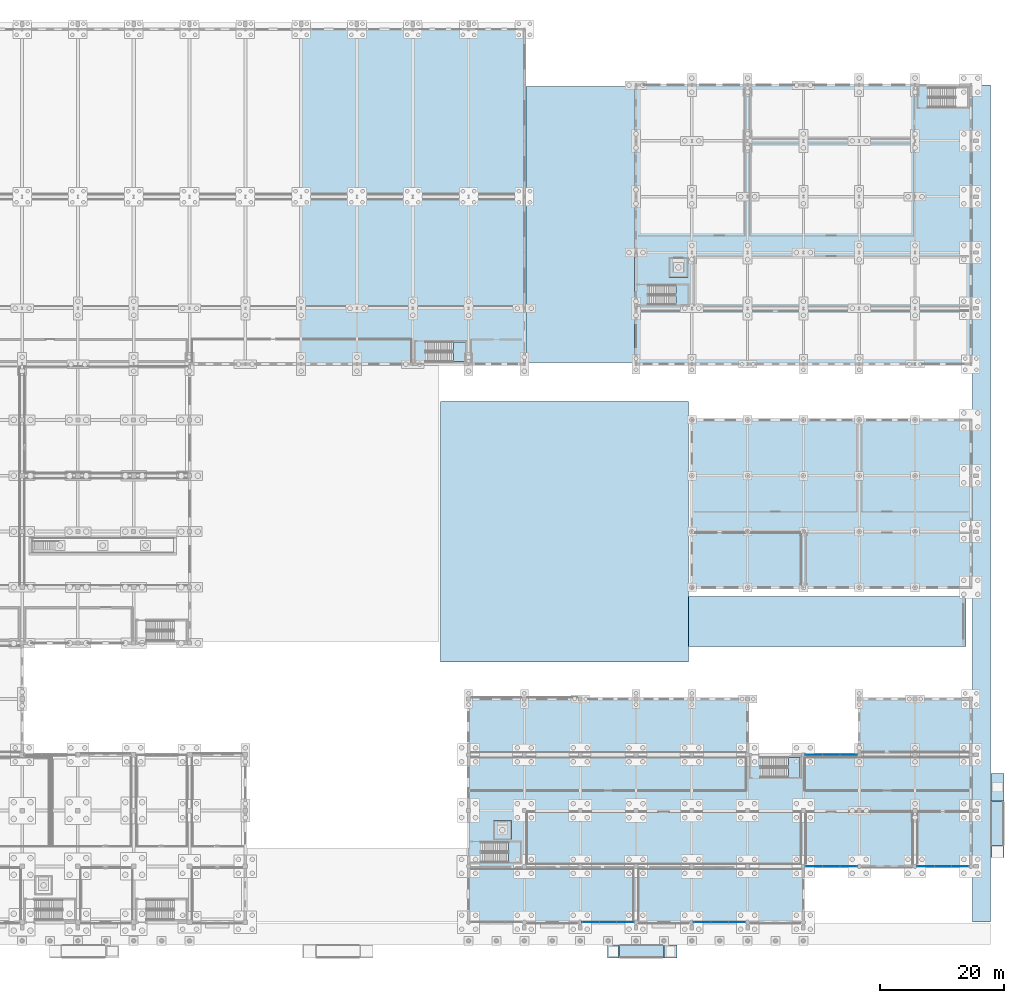
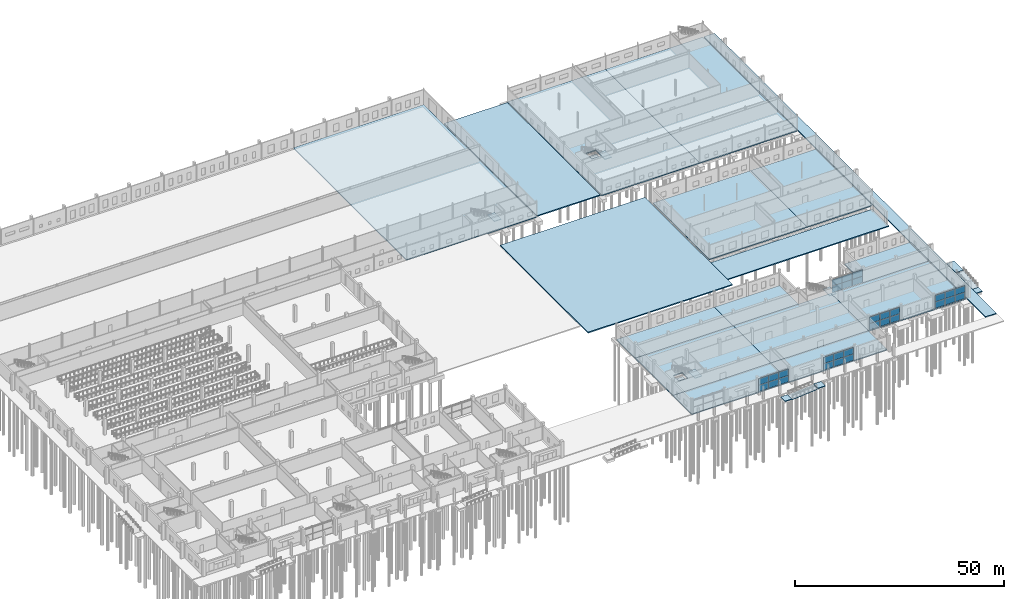
# One storey, part 60 of 112: 30 plates, 29 slabs, 9 elements without a shape of their own.
"""IFC4 building model written with IfcOpenShell, lengths in metres."""

from ifc_helpers import new_model, si_unit, direction, frame, origin, origin_2d, place, context, subcontext, project, spatial, polyline, rectangle, outline, extrude, material, layer, layer_set, type_object, element, aggregate, save


model = new_model("IFC4")

# Units and contexts
model_context = context("Model", 3, precision=1e-05, world=origin(), true_north=direction((0.0, 1.0)))
body_context = subcontext(model_context, "Body", "Model", "MODEL_VIEW")
ifc_project = project(units=[si_unit("LENGTHUNIT", "METRE"), si_unit("AREAUNIT", "SQUARE_METRE"), si_unit("VOLUMEUNIT", "CUBIC_METRE"), si_unit("PLANEANGLEUNIT", "RADIAN"), si_unit("MASSUNIT", "GRAM", prefix="KILO")], contexts=[model_context])

# Site, building, storey
site_placement = place(None, origin())
site = spatial("IfcSite", under=ifc_project, at=site_placement, CompositionType="ELEMENT")
building_placement = place(site_placement, origin())
building = spatial("IfcBuilding", under=site, at=building_placement, Name="Tharagai Park Tramway Depot", CompositionType="ELEMENT")
storey_placement = place(building_placement, origin())
storey = spatial("IfcBuildingStorey", under=building, at=storey_placement, Name="L00", CompositionType="ELEMENT", Elevation=0.0)

# Curtain wall, plates
ifc_material_1 = material(Name="Anodised aluminium", Category="aluminium")
curtain_wall_type = type_object("IfcCurtainWallType", Name="CW-05", PredefinedType="NOTDEFINED", material=ifc_material_1)
curtain_wall_1_placement = place(storey_placement, origin())
curtain_wall_1 = element("IfcCurtainWall", 1, at=curtain_wall_1_placement, inside=storey, type_object=curtain_wall_type, Name="L00 V5 Gothic Mullioned Curtain Wall CW-05", PredefinedType="NOTDEFINED")
ifc_material_2 = material(Name="Laminated solar-control glass", Category="glass")
ifc_layer_1 = layer(ifc_material_2, 0.028076171875)
ifc_layer_set_1 = layer_set([ifc_layer_1], Name="Laminated solar-control glass")
plate_type = type_object("IfcPlateType", Name="CP-02", PredefinedType="CURTAIN_PANEL", material=ifc_layer_set_1)
plate_1_placement = place(storey_placement, frame((154.7265625, 0.0, 0.080078125), z_axis=(0.0, 0.0, 1.0), x_axis=(1.0, 0.0, 0.0)))
plate_1 = element("IfcPlate", 2, at=plate_1_placement, type_object=plate_type, Name="L00 V5 Gothic Mullioned Curtain Wall Glazed Panel 1.1", PredefinedType="CURTAIN_PANEL", context=body_context, shape_type="SweptSolid", body=[
    extrude(rectangle(XDim=2.75341796875, YDim=0.028076171875, at=origin_2d()), origin(), (0.0, 0.0, 1.0), 1.885009765625),
])
plate_2_placement = place(storey_placement, frame((154.7265625, 0.0, 2.0048828125), z_axis=(0.0, 0.0, 1.0), x_axis=(1.0, 0.0, 0.0)))
plate_2 = element("IfcPlate", 3, at=plate_2_placement, type_object=plate_type, Name="L00 V5 Gothic Mullioned Curtain Wall Glazed Panel 1.2", PredefinedType="CURTAIN_PANEL", context=body_context, shape_type="SweptSolid", body=[
    extrude(rectangle(XDim=2.75341796875, YDim=0.028076171875, at=origin_2d()), origin(), (0.0, 0.0, 1.0), 1.864990234375),
])
plate_3_placement = place(storey_placement, frame((157.5, 0.0, 0.080078125), z_axis=(0.0, 0.0, 1.0), x_axis=(1.0, 0.0, 0.0)))
plate_3 = element("IfcPlate", 4, at=plate_3_placement, type_object=plate_type, Name="L00 V5 Gothic Mullioned Curtain Wall Glazed Panel 2.1", PredefinedType="CURTAIN_PANEL", context=body_context, shape_type="SweptSolid", body=[
    extrude(rectangle(XDim=2.75341796875, YDim=0.028076171875, at=origin_2d()), origin(), (0.0, 0.0, 1.0), 1.885009765625),
])
plate_4_placement = place(storey_placement, frame((157.5, 0.0, 2.0048828125), z_axis=(0.0, 0.0, 1.0), x_axis=(1.0, 0.0, 0.0)))
plate_4 = element("IfcPlate", 5, at=plate_4_placement, type_object=plate_type, Name="L00 V5 Gothic Mullioned Curtain Wall Glazed Panel 2.2", PredefinedType="CURTAIN_PANEL", context=body_context, shape_type="SweptSolid", body=[
    extrude(rectangle(XDim=2.75341796875, YDim=0.028076171875, at=origin_2d()), origin(), (0.0, 0.0, 1.0), 1.864990234375),
])
plate_5_placement = place(storey_placement, frame((160.2734375, 0.0, 0.080078125), z_axis=(0.0, 0.0, 1.0), x_axis=(1.0, 0.0, 0.0)))
plate_5 = element("IfcPlate", 6, at=plate_5_placement, type_object=plate_type, Name="L00 V5 Gothic Mullioned Curtain Wall Glazed Panel 3.1", PredefinedType="CURTAIN_PANEL", context=body_context, shape_type="SweptSolid", body=[
    extrude(rectangle(XDim=2.75341796875, YDim=0.028076171875, at=origin_2d()), origin(), (0.0, 0.0, 1.0), 1.885009765625),
])
plate_6_placement = place(storey_placement, frame((160.2734375, 0.0, 2.0048828125), z_axis=(0.0, 0.0, 1.0), x_axis=(1.0, 0.0, 0.0)))
plate_6 = element("IfcPlate", 7, at=plate_6_placement, type_object=plate_type, Name="L00 V5 Gothic Mullioned Curtain Wall Glazed Panel 3.2", PredefinedType="CURTAIN_PANEL", context=body_context, shape_type="SweptSolid", body=[
    extrude(rectangle(XDim=2.75341796875, YDim=0.028076171875, at=origin_2d()), origin(), (0.0, 0.0, 1.0), 1.864990234375),
])
aggregate(curtain_wall_1, [plate_1, plate_2, plate_3, plate_4, plate_5, plate_6])

curtain_wall_2_placement = place(storey_placement, origin())
curtain_wall_2 = element("IfcCurtainWall", 8, at=curtain_wall_2_placement, inside=storey, type_object=curtain_wall_type, Name="L00 V5 Gothic Mullioned Curtain Wall CW-05", PredefinedType="NOTDEFINED")
plate_7_placement = place(storey_placement, frame((172.7265625, 0.0, 0.080078125), z_axis=(0.0, 0.0, 1.0), x_axis=(1.0, 0.0, 0.0)))
plate_7 = element("IfcPlate", 9, at=plate_7_placement, type_object=plate_type, Name="L00 V5 Gothic Mullioned Curtain Wall Glazed Panel 1.1", PredefinedType="CURTAIN_PANEL", context=body_context, shape_type="SweptSolid", body=[
    extrude(rectangle(XDim=2.75341796875, YDim=0.028076171875, at=origin_2d()), origin(), (0.0, 0.0, 1.0), 1.885009765625),
])
plate_8_placement = place(storey_placement, frame((172.7265625, 0.0, 2.0048828125), z_axis=(0.0, 0.0, 1.0), x_axis=(1.0, 0.0, 0.0)))
plate_8 = element("IfcPlate", 10, at=plate_8_placement, type_object=plate_type, Name="L00 V5 Gothic Mullioned Curtain Wall Glazed Panel 1.2", PredefinedType="CURTAIN_PANEL", context=body_context, shape_type="SweptSolid", body=[
    extrude(rectangle(XDim=2.75341796875, YDim=0.028076171875, at=origin_2d()), origin(), (0.0, 0.0, 1.0), 1.864990234375),
])
plate_9_placement = place(storey_placement, frame((175.5, 0.0, 0.080078125), z_axis=(0.0, 0.0, 1.0), x_axis=(1.0, 0.0, 0.0)))
plate_9 = element("IfcPlate", 11, at=plate_9_placement, type_object=plate_type, Name="L00 V5 Gothic Mullioned Curtain Wall Glazed Panel 2.1", PredefinedType="CURTAIN_PANEL", context=body_context, shape_type="SweptSolid", body=[
    extrude(rectangle(XDim=2.75341796875, YDim=0.028076171875, at=origin_2d()), origin(), (0.0, 0.0, 1.0), 1.885009765625),
])
plate_10_placement = place(storey_placement, frame((175.5, 0.0, 2.0048828125), z_axis=(0.0, 0.0, 1.0), x_axis=(1.0, 0.0, 0.0)))
plate_10 = element("IfcPlate", 12, at=plate_10_placement, type_object=plate_type, Name="L00 V5 Gothic Mullioned Curtain Wall Glazed Panel 2.2", PredefinedType="CURTAIN_PANEL", context=body_context, shape_type="SweptSolid", body=[
    extrude(rectangle(XDim=2.75341796875, YDim=0.028076171875, at=origin_2d()), origin(), (0.0, 0.0, 1.0), 1.864990234375),
])
plate_11_placement = place(storey_placement, frame((178.2734375, 0.0, 0.080078125), z_axis=(0.0, 0.0, 1.0), x_axis=(1.0, 0.0, 0.0)))
plate_11 = element("IfcPlate", 13, at=plate_11_placement, type_object=plate_type, Name="L00 V5 Gothic Mullioned Curtain Wall Glazed Panel 3.1", PredefinedType="CURTAIN_PANEL", context=body_context, shape_type="SweptSolid", body=[
    extrude(rectangle(XDim=2.75341796875, YDim=0.028076171875, at=origin_2d()), origin(), (0.0, 0.0, 1.0), 1.885009765625),
])
plate_12_placement = place(storey_placement, frame((178.2734375, 0.0, 2.0048828125), z_axis=(0.0, 0.0, 1.0), x_axis=(1.0, 0.0, 0.0)))
plate_12 = element("IfcPlate", 14, at=plate_12_placement, type_object=plate_type, Name="L00 V5 Gothic Mullioned Curtain Wall Glazed Panel 3.2", PredefinedType="CURTAIN_PANEL", context=body_context, shape_type="SweptSolid", body=[
    extrude(rectangle(XDim=2.75341796875, YDim=0.028076171875, at=origin_2d()), origin(), (0.0, 0.0, 1.0), 1.864990234375),
])
aggregate(curtain_wall_2, [plate_7, plate_8, plate_9, plate_10, plate_11, plate_12])

curtain_wall_3_placement = place(storey_placement, origin())
curtain_wall_3 = element("IfcCurtainWall", 15, at=curtain_wall_3_placement, inside=storey, type_object=curtain_wall_type, Name="L00 V5 Gothic Mullioned Curtain Wall CW-05", PredefinedType="NOTDEFINED")
plate_13_placement = place(storey_placement, frame((190.7265625, 9.0, 0.080078125), z_axis=(0.0, 0.0, 1.0), x_axis=(1.0, 0.0, 0.0)))
plate_13 = element("IfcPlate", 16, at=plate_13_placement, type_object=plate_type, Name="L00 V5 Gothic Mullioned Curtain Wall Glazed Panel 1.1", PredefinedType="CURTAIN_PANEL", context=body_context, shape_type="SweptSolid", body=[
    extrude(rectangle(XDim=2.75341796875, YDim=0.028076171875, at=origin_2d()), origin(), (0.0, 0.0, 1.0), 1.885009765625),
])
plate_14_placement = place(storey_placement, frame((190.7265625, 9.0, 2.0048828125), z_axis=(0.0, 0.0, 1.0), x_axis=(1.0, 0.0, 0.0)))
plate_14 = element("IfcPlate", 17, at=plate_14_placement, type_object=plate_type, Name="L00 V5 Gothic Mullioned Curtain Wall Glazed Panel 1.2", PredefinedType="CURTAIN_PANEL", context=body_context, shape_type="SweptSolid", body=[
    extrude(rectangle(XDim=2.75341796875, YDim=0.028076171875, at=origin_2d()), origin(), (0.0, 0.0, 1.0), 1.864990234375),
])
plate_15_placement = place(storey_placement, frame((193.5, 9.0, 0.080078125), z_axis=(0.0, 0.0, 1.0), x_axis=(1.0, 0.0, 0.0)))
plate_15 = element("IfcPlate", 18, at=plate_15_placement, type_object=plate_type, Name="L00 V5 Gothic Mullioned Curtain Wall Glazed Panel 2.1", PredefinedType="CURTAIN_PANEL", context=body_context, shape_type="SweptSolid", body=[
    extrude(rectangle(XDim=2.75341796875, YDim=0.028076171875, at=origin_2d()), origin(), (0.0, 0.0, 1.0), 1.885009765625),
])
plate_16_placement = place(storey_placement, frame((193.5, 9.0, 2.0048828125), z_axis=(0.0, 0.0, 1.0), x_axis=(1.0, 0.0, 0.0)))
plate_16 = element("IfcPlate", 19, at=plate_16_placement, type_object=plate_type, Name="L00 V5 Gothic Mullioned Curtain Wall Glazed Panel 2.2", PredefinedType="CURTAIN_PANEL", context=body_context, shape_type="SweptSolid", body=[
    extrude(rectangle(XDim=2.75341796875, YDim=0.028076171875, at=origin_2d()), origin(), (0.0, 0.0, 1.0), 1.864990234375),
])
plate_17_placement = place(storey_placement, frame((196.2734375, 9.0, 0.080078125), z_axis=(0.0, 0.0, 1.0), x_axis=(1.0, 0.0, 0.0)))
plate_17 = element("IfcPlate", 20, at=plate_17_placement, type_object=plate_type, Name="L00 V5 Gothic Mullioned Curtain Wall Glazed Panel 3.1", PredefinedType="CURTAIN_PANEL", context=body_context, shape_type="SweptSolid", body=[
    extrude(rectangle(XDim=2.75341796875, YDim=0.028076171875, at=origin_2d()), origin(), (0.0, 0.0, 1.0), 1.885009765625),
])
plate_18_placement = place(storey_placement, frame((196.2734375, 9.0, 2.0048828125), z_axis=(0.0, 0.0, 1.0), x_axis=(1.0, 0.0, 0.0)))
plate_18 = element("IfcPlate", 21, at=plate_18_placement, type_object=plate_type, Name="L00 V5 Gothic Mullioned Curtain Wall Glazed Panel 3.2", PredefinedType="CURTAIN_PANEL", context=body_context, shape_type="SweptSolid", body=[
    extrude(rectangle(XDim=2.75341796875, YDim=0.028076171875, at=origin_2d()), origin(), (0.0, 0.0, 1.0), 1.864990234375),
])
aggregate(curtain_wall_3, [plate_13, plate_14, plate_15, plate_16, plate_17, plate_18])

curtain_wall_4_placement = place(storey_placement, origin())
curtain_wall_4 = element("IfcCurtainWall", 22, at=curtain_wall_4_placement, inside=storey, type_object=curtain_wall_type, Name="L00 V5 Gothic Mullioned Curtain Wall CW-05", PredefinedType="NOTDEFINED")
plate_19_placement = place(storey_placement, frame((208.7265625, 9.0, 0.080078125), z_axis=(0.0, 0.0, 1.0), x_axis=(1.0, 0.0, 0.0)))
plate_19 = element("IfcPlate", 23, at=plate_19_placement, type_object=plate_type, Name="L00 V5 Gothic Mullioned Curtain Wall Glazed Panel 1.1", PredefinedType="CURTAIN_PANEL", context=body_context, shape_type="SweptSolid", body=[
    extrude(rectangle(XDim=2.75341796875, YDim=0.028076171875, at=origin_2d()), origin(), (0.0, 0.0, 1.0), 1.885009765625),
])
plate_20_placement = place(storey_placement, frame((208.7265625, 9.0, 2.0048828125), z_axis=(0.0, 0.0, 1.0), x_axis=(1.0, 0.0, 0.0)))
plate_20 = element("IfcPlate", 24, at=plate_20_placement, type_object=plate_type, Name="L00 V5 Gothic Mullioned Curtain Wall Glazed Panel 1.2", PredefinedType="CURTAIN_PANEL", context=body_context, shape_type="SweptSolid", body=[
    extrude(rectangle(XDim=2.75341796875, YDim=0.028076171875, at=origin_2d()), origin(), (0.0, 0.0, 1.0), 1.864990234375),
])
plate_21_placement = place(storey_placement, frame((211.5, 9.0, 0.080078125), z_axis=(0.0, 0.0, 1.0), x_axis=(1.0, 0.0, 0.0)))
plate_21 = element("IfcPlate", 25, at=plate_21_placement, type_object=plate_type, Name="L00 V5 Gothic Mullioned Curtain Wall Glazed Panel 2.1", PredefinedType="CURTAIN_PANEL", context=body_context, shape_type="SweptSolid", body=[
    extrude(rectangle(XDim=2.75341796875, YDim=0.028076171875, at=origin_2d()), origin(), (0.0, 0.0, 1.0), 1.885009765625),
])
plate_22_placement = place(storey_placement, frame((211.5, 9.0, 2.0048828125), z_axis=(0.0, 0.0, 1.0), x_axis=(1.0, 0.0, 0.0)))
plate_22 = element("IfcPlate", 26, at=plate_22_placement, type_object=plate_type, Name="L00 V5 Gothic Mullioned Curtain Wall Glazed Panel 2.2", PredefinedType="CURTAIN_PANEL", context=body_context, shape_type="SweptSolid", body=[
    extrude(rectangle(XDim=2.75341796875, YDim=0.028076171875, at=origin_2d()), origin(), (0.0, 0.0, 1.0), 1.864990234375),
])
plate_23_placement = place(storey_placement, frame((214.2734375, 9.0, 0.080078125), z_axis=(0.0, 0.0, 1.0), x_axis=(1.0, 0.0, 0.0)))
plate_23 = element("IfcPlate", 27, at=plate_23_placement, type_object=plate_type, Name="L00 V5 Gothic Mullioned Curtain Wall Glazed Panel 3.1", PredefinedType="CURTAIN_PANEL", context=body_context, shape_type="SweptSolid", body=[
    extrude(rectangle(XDim=2.75341796875, YDim=0.028076171875, at=origin_2d()), origin(), (0.0, 0.0, 1.0), 1.885009765625),
])
plate_24_placement = place(storey_placement, frame((214.2734375, 9.0, 2.0048828125), z_axis=(0.0, 0.0, 1.0), x_axis=(1.0, 0.0, 0.0)))
plate_24 = element("IfcPlate", 28, at=plate_24_placement, type_object=plate_type, Name="L00 V5 Gothic Mullioned Curtain Wall Glazed Panel 3.2", PredefinedType="CURTAIN_PANEL", context=body_context, shape_type="SweptSolid", body=[
    extrude(rectangle(XDim=2.75341796875, YDim=0.028076171875, at=origin_2d()), origin(), (0.0, 0.0, 1.0), 1.864990234375),
])
aggregate(curtain_wall_4, [plate_19, plate_20, plate_21, plate_22, plate_23, plate_24])

curtain_wall_5_placement = place(storey_placement, origin())
curtain_wall_5 = element("IfcCurtainWall", 29, at=curtain_wall_5_placement, inside=storey, type_object=curtain_wall_type, Name="L00 V5 Gothic Mullioned Curtain Wall CW-05", PredefinedType="NOTDEFINED")
plate_25_placement = place(storey_placement, frame((190.693359375, 27.0, 0.080078125), z_axis=(0.0, 0.0, 1.0), x_axis=(1.0, 0.0, 0.0)))
plate_25 = element("IfcPlate", 30, at=plate_25_placement, type_object=plate_type, Name="L00 V5 Gothic Mullioned Curtain Wall Glazed Panel 1.1", PredefinedType="CURTAIN_PANEL", context=body_context, shape_type="SweptSolid", body=[
    extrude(rectangle(XDim=2.78662109375, YDim=0.028076171875, at=origin_2d()), origin(), (0.0, 0.0, 1.0), 1.885009765625),
])
plate_26_placement = place(storey_placement, frame((190.693359375, 27.0, 2.0048828125), z_axis=(0.0, 0.0, 1.0), x_axis=(1.0, 0.0, 0.0)))
plate_26 = element("IfcPlate", 31, at=plate_26_placement, type_object=plate_type, Name="L00 V5 Gothic Mullioned Curtain Wall Glazed Panel 1.2", PredefinedType="CURTAIN_PANEL", context=body_context, shape_type="SweptSolid", body=[
    extrude(rectangle(XDim=2.78662109375, YDim=0.028076171875, at=origin_2d()), origin(), (0.0, 0.0, 1.0), 1.864990234375),
])
plate_27_placement = place(storey_placement, frame((193.5, 27.0, 0.080078125), z_axis=(0.0, 0.0, 1.0), x_axis=(1.0, 0.0, 0.0)))
plate_27 = element("IfcPlate", 32, at=plate_27_placement, type_object=plate_type, Name="L00 V5 Gothic Mullioned Curtain Wall Glazed Panel 2.1", PredefinedType="CURTAIN_PANEL", context=body_context, shape_type="SweptSolid", body=[
    extrude(rectangle(XDim=2.78662109375, YDim=0.028076171875, at=origin_2d()), origin(), (0.0, 0.0, 1.0), 1.885009765625),
])
plate_28_placement = place(storey_placement, frame((193.5, 27.0, 2.0048828125), z_axis=(0.0, 0.0, 1.0), x_axis=(1.0, 0.0, 0.0)))
plate_28 = element("IfcPlate", 33, at=plate_28_placement, type_object=plate_type, Name="L00 V5 Gothic Mullioned Curtain Wall Glazed Panel 2.2", PredefinedType="CURTAIN_PANEL", context=body_context, shape_type="SweptSolid", body=[
    extrude(rectangle(XDim=2.78662109375, YDim=0.028076171875, at=origin_2d()), origin(), (0.0, 0.0, 1.0), 1.864990234375),
])
plate_29_placement = place(storey_placement, frame((196.306640625, 27.0, 0.080078125), z_axis=(0.0, 0.0, 1.0), x_axis=(1.0, 0.0, 0.0)))
plate_29 = element("IfcPlate", 34, at=plate_29_placement, type_object=plate_type, Name="L00 V5 Gothic Mullioned Curtain Wall Glazed Panel 3.1", PredefinedType="CURTAIN_PANEL", context=body_context, shape_type="SweptSolid", body=[
    extrude(rectangle(XDim=2.78662109375, YDim=0.028076171875, at=origin_2d()), origin(), (0.0, 0.0, 1.0), 1.885009765625),
])
plate_30_placement = place(storey_placement, frame((196.306640625, 27.0, 2.0048828125), z_axis=(0.0, 0.0, 1.0), x_axis=(1.0, 0.0, 0.0)))
plate_30 = element("IfcPlate", 35, at=plate_30_placement, type_object=plate_type, Name="L00 V5 Gothic Mullioned Curtain Wall Glazed Panel 3.2", PredefinedType="CURTAIN_PANEL", context=body_context, shape_type="SweptSolid", body=[
    extrude(rectangle(XDim=2.78662109375, YDim=0.028076171875, at=origin_2d()), origin(), (0.0, 0.0, 1.0), 1.864990234375),
])
aggregate(curtain_wall_5, [plate_25, plate_26, plate_27, plate_28, plate_29, plate_30])

# Stair, slab
ifc_material_3 = material(Name="Concrete M35", Category="concrete")
stair_type = type_object("IfcStairType", Name="STT-02", PredefinedType="HALF_TURN_STAIR", material=ifc_material_3)
stair_1_placement = place(storey_placement, origin())
stair_1 = element("IfcStair", 36, at=stair_1_placement, inside=storey, type_object=stair_type, Name="L00 Protected Exit Stair ST-06", PredefinedType="HALF_TURN_STAIR")
ifc_layer_2 = layer(ifc_material_3, 0.199951171875)
ifc_layer_set_2 = layer_set([ifc_layer_2], Name="Concrete M35")
slab_type_1 = type_object("IfcSlabType", Name="LN-01", PredefinedType="LANDING", material=ifc_layer_set_2)
slab_1_placement = place(storey_placement, frame((0.0, 0.0, 2.199951171875)))
slab_1 = element("IfcSlab", 37, at=slab_1_placement, type_object=slab_type_1, Name="ST-06 landing 1", PredefinedType="LANDING", context=body_context, shape_type="SweptSolid", body=[
    extrude(outline(polyline([(141.449951171875, 9.64990234375), (143.360107421875, 9.64990234375), (143.360107421875, 12.89990234375), (141.449951171875, 12.89990234375), (141.449951171875, 9.64990234375)])), origin(), (0.0, 0.0, 1.0), 0.199951171875),
])
aggregate(stair_1, [slab_1])

stair_2_placement = place(storey_placement, origin())
stair_2 = element("IfcStair", 38, at=stair_2_placement, inside=storey, type_object=stair_type, Name="L00 Protected Exit Stair ST-07", PredefinedType="HALF_TURN_STAIR")
slab_2_placement = place(storey_placement, frame((0.0, 0.0, 2.199951171875)))
slab_2 = element("IfcSlab", 39, at=slab_2_placement, type_object=slab_type_1, Name="ST-07 landing 1", PredefinedType="LANDING", context=body_context, shape_type="SweptSolid", body=[
    extrude(outline(polyline([(186.570068359375, 23.35009765625), (188.47998046875, 23.35009765625), (188.47998046875, 26.60009765625), (186.570068359375, 26.60009765625), (186.570068359375, 23.35009765625)])), origin(), (0.0, 0.0, 1.0), 0.199951171875),
])
aggregate(stair_2, [slab_2])

stair_3_placement = place(storey_placement, origin())
stair_3 = element("IfcStair", 40, at=stair_3_placement, inside=storey, type_object=stair_type, Name="L00 Protected Exit Stair ST-11", PredefinedType="HALF_TURN_STAIR")
slab_3_placement = place(storey_placement, frame((0.0, 0.0, 2.199951171875)))
slab_3 = element("IfcSlab", 41, at=slab_3_placement, type_object=slab_type_1, Name="ST-11 landing 1", PredefinedType="LANDING", context=body_context, shape_type="SweptSolid", body=[
    extrude(outline(polyline([(132.5400390625, 90.39990234375), (134.47998046875, 90.39990234375), (134.47998046875, 93.590087890625), (132.5400390625, 93.590087890625), (132.5400390625, 90.39990234375)])), origin(), (0.0, 0.0, 1.0), 0.199951171875),
])
aggregate(stair_3, [slab_3])

stair_4_placement = place(storey_placement, origin())
stair_4 = element("IfcStair", 42, at=stair_4_placement, inside=storey, type_object=stair_type, Name="L00 Protected Exit Stair ST-12", PredefinedType="HALF_TURN_STAIR")
slab_4_placement = place(storey_placement, frame((0.0, 0.0, 2.199951171875)))
slab_4 = element("IfcSlab", 43, at=slab_4_placement, type_object=slab_type_1, Name="ST-12 landing 1", PredefinedType="LANDING", context=body_context, shape_type="SweptSolid", body=[
    extrude(outline(polyline([(168.419921875, 99.550048828125), (170.360107421875, 99.550048828125), (170.360107421875, 102.739990234375), (168.419921875, 102.739990234375), (168.419921875, 99.550048828125)])), origin(), (0.0, 0.0, 1.0), 0.199951171875),
])
aggregate(stair_4, [slab_4])

# Slabs
ifc_material_4 = material(Name="Concrete M40", Category="concrete")
ifc_layer_3 = layer(ifc_material_4, 0.35009765625)
ifc_layer_set_3 = layer_set([ifc_layer_3], Name="Concrete M40")
slab_type_2 = type_object("IfcSlabType", Name="SB-02", PredefinedType="BASESLAB", material=ifc_layer_set_3)
slab_5_placement = place(storey_placement, frame((0.0, 0.0, -1.75)))
element("IfcSlab", 44, at=slab_5_placement, inside=storey, type_object=slab_type_2, Name="Lift LP-03 Pit Base Slab", PredefinedType="BASESLAB", context=body_context, shape_type="SweptSolid", body=[
    extrude(outline(polyline([(139.0, 13.300048828125), (141.89990234375, 13.300048828125), (141.89990234375, 16.39990234375), (139.0, 16.39990234375), (139.0, 13.300048828125)])), origin(), (0.0, 0.0, 1.0), 0.35009765625),
])
slab_6_placement = place(storey_placement, frame((0.0, 0.0, -1.75)))
element("IfcSlab", 45, at=slab_6_placement, inside=storey, type_object=slab_type_2, Name="Lift LG-02 Pit Base Slab", PredefinedType="BASESLAB", context=body_context, shape_type="SweptSolid", body=[
    extrude(outline(polyline([(167.300048828125, 104.0), (170.39990234375, 104.0), (170.39990234375, 107.199951171875), (167.300048828125, 107.199951171875), (167.300048828125, 104.0)])), origin(), (0.0, 0.0, 1.0), 0.35009765625),
])
ifc_layer_4 = layer(ifc_material_3, 0.31005859375)
ifc_layer_set_4 = layer_set([ifc_layer_4], Name="Concrete M35")
slab_type_3 = type_object("IfcSlabType", Name="SB-04", PredefinedType="BASESLAB", material=ifc_layer_set_4)
slab_7_placement = place(storey_placement, frame((0.0, 0.0, -0.31005859375)))
element("IfcSlab", 46, at=slab_7_placement, inside=storey, type_object=slab_type_3, Name="Staff and Visitor Loop Car-Park Apron Slab", PredefinedType="BASESLAB", context=body_context, shape_type="SweptSolid", body=[
    extrude(outline(polyline([(130.5, 42.0), (170.5, 42.0), (170.5, 84.0), (130.5, 84.0), (130.5, 42.0)])), origin(), (0.0, 0.0, 1.0), 0.31005859375),
])
slab_8_placement = place(storey_placement, frame((0.0, 0.0, -0.31005859375)))
element("IfcSlab", 47, at=slab_8_placement, inside=storey, type_object=slab_type_3, Name="Car-Park Entry-Exit Loop Throat Slab", PredefinedType="BASESLAB", context=body_context, shape_type="SweptSolid", body=[
    extrude(outline(polyline([(170.5, 44.5), (215.199951171875, 44.5), (215.199951171875, 52.5), (170.5, 52.5), (170.5, 44.5)])), origin(), (0.0, 0.0, 1.0), 0.31005859375),
])
slab_9_placement = place(storey_placement, frame((0.0, 0.0, -0.31005859375)))
element("IfcSlab", 48, at=slab_9_placement, inside=storey, type_object=slab_type_3, Name="Stabling-to-Wash Track Fan Concrete Apron", PredefinedType="BASESLAB", context=body_context, shape_type="SweptSolid", body=[
    extrude(outline(polyline([(144.239990234375, 90.239990234375), (161.760009765625, 90.239990234375), (161.760009765625, 134.760009765625), (144.239990234375, 134.760009765625), (144.239990234375, 90.239990234375)])), origin(), (0.0, 0.0, 1.0), 0.31005859375),
])
slab_10_placement = place(storey_placement, frame((0.0, 0.0, -0.31005859375)))
element("IfcSlab", 49, at=slab_10_placement, inside=storey, type_object=slab_type_3, Name="East Arrival Plinth Apron", PredefinedType="BASESLAB", context=body_context, shape_type="SweptSolid", body=[
    extrude(outline(polyline([(216.239990234375, 0.0), (219.199951171875, 0.0), (219.199951171875, 135.0), (216.239990234375, 135.0), (216.239990234375, 0.0)])), origin(), (0.0, 0.0, 1.0), 0.31005859375),
])
ifc_layer_5 = layer(ifc_material_3, 0.300048828125)
ifc_layer_set_5 = layer_set([ifc_layer_5], Name="Concrete M35")
slab_type_4 = type_object("IfcSlabType", Name="SB-05", PredefinedType="BASESLAB", material=ifc_layer_set_5)
slab_11_placement = place(storey_placement, frame((0.0, 0.0, -0.300048828125)))
element("IfcSlab", 50, at=slab_11_placement, inside=storey, type_object=slab_type_4, Name="L00 V1 Ground Slab Bay 5", PredefinedType="BASESLAB", context=body_context, shape_type="SweptSolid", body=[
    extrude(outline(polyline([(108.0, 90.0), (144.0, 90.0), (144.0, 144.0), (108.0, 144.0), (108.0, 90.0)])), origin(), (0.0, 0.0, 1.0), 0.300048828125),
])
slab_12_placement = place(storey_placement, frame((0.0, 0.0, -0.300048828125)))
element("IfcSlab", 51, at=slab_12_placement, inside=storey, type_object=slab_type_4, Name="L00 V3 Ground Slab Bay 1", PredefinedType="BASESLAB", context=body_context, shape_type="SweptSolid", body=[
    extrude(outline(polyline([(162.0, 90.0), (189.0, 90.0), (189.0, 135.0), (162.0, 135.0), (162.0, 90.0)]), holes=[polyline([(167.5, 104.199951171875), (170.199951171875, 104.199951171875), (170.199951171875, 107.0), (167.5, 107.0), (167.5, 104.199951171875)])]), origin(), (0.0, 0.0, 1.0), 0.300048828125),
])
slab_13_placement = place(storey_placement, frame((0.0, 0.0, -0.300048828125)))
element("IfcSlab", 52, at=slab_13_placement, inside=storey, type_object=slab_type_4, Name="L00 V3 Ground Slab Bay 2", PredefinedType="BASESLAB", context=body_context, shape_type="SweptSolid", body=[
    extrude(outline(polyline([(189.0, 90.0), (216.0, 90.0), (216.0, 135.0), (189.0, 135.0), (189.0, 90.0)])), origin(), (0.0, 0.0, 1.0), 0.300048828125),
])
slab_14_placement = place(storey_placement, frame((0.0, 0.0, -0.300048828125)))
element("IfcSlab", 53, at=slab_14_placement, inside=storey, type_object=slab_type_4, Name="L00 V5 Ground Slab Bay 1", PredefinedType="BASESLAB", context=body_context, shape_type="SweptSolid", body=[
    extrude(outline(polyline([(135.0, 0.0), (162.0, 0.0), (162.0, 9.0), (135.0, 9.0), (135.0, 0.0)])), origin(), (0.0, 0.0, 1.0), 0.300048828125),
])
slab_15_placement = place(storey_placement, frame((0.0, 0.0, -0.300048828125)))
element("IfcSlab", 54, at=slab_15_placement, inside=storey, type_object=slab_type_4, Name="L00 V5 Ground Slab Bay 2", PredefinedType="BASESLAB", context=body_context, shape_type="SweptSolid", body=[
    extrude(outline(polyline([(162.0, 0.0), (189.0, 0.0), (189.0, 9.0), (162.0, 9.0), (162.0, 0.0)])), origin(), (0.0, 0.0, 1.0), 0.300048828125),
])
slab_16_placement = place(storey_placement, frame((0.0, 0.0, -0.300048828125)))
element("IfcSlab", 55, at=slab_16_placement, inside=storey, type_object=slab_type_4, Name="L00 V5 Ground Slab Bay 1", PredefinedType="BASESLAB", context=body_context, shape_type="SweptSolid", body=[
    extrude(outline(polyline([(135.0, 9.0), (162.0, 9.0), (162.0, 27.0), (135.0, 27.0), (135.0, 9.0)]), holes=[polyline([(139.199951171875, 13.5), (141.699951171875, 13.5), (141.699951171875, 16.199951171875), (139.199951171875, 16.199951171875), (139.199951171875, 13.5)])]), origin(), (0.0, 0.0, 1.0), 0.300048828125),
])
slab_17_placement = place(storey_placement, frame((0.0, 0.0, -0.300048828125)))
element("IfcSlab", 56, at=slab_17_placement, inside=storey, type_object=slab_type_4, Name="L00 V5 Ground Slab Bay 2", PredefinedType="BASESLAB", context=body_context, shape_type="SweptSolid", body=[
    extrude(outline(polyline([(162.0, 9.0), (189.0, 9.0), (189.0, 27.0), (162.0, 27.0), (162.0, 9.0)])), origin(), (0.0, 0.0, 1.0), 0.300048828125),
])
slab_18_placement = place(storey_placement, frame((0.0, 0.0, -0.300048828125)))
element("IfcSlab", 57, at=slab_18_placement, inside=storey, type_object=slab_type_4, Name="L00 V5 Ground Slab Bay 3", PredefinedType="BASESLAB", context=body_context, shape_type="SweptSolid", body=[
    extrude(outline(polyline([(189.0, 9.0), (216.0, 9.0), (216.0, 27.0), (189.0, 27.0), (189.0, 9.0)])), origin(), (0.0, 0.0, 1.0), 0.300048828125),
])
slab_19_placement = place(storey_placement, frame((0.0, 0.0, -0.300048828125)))
element("IfcSlab", 58, at=slab_19_placement, inside=storey, type_object=slab_type_4, Name="L00 V5 Ground Slab Bay 1", PredefinedType="BASESLAB", context=body_context, shape_type="SweptSolid", body=[
    extrude(outline(polyline([(135.0, 27.0), (162.0, 27.0), (162.0, 36.0), (135.0, 36.0), (135.0, 27.0)])), origin(), (0.0, 0.0, 1.0), 0.300048828125),
])
slab_20_placement = place(storey_placement, frame((0.0, 0.0, -0.300048828125)))
element("IfcSlab", 59, at=slab_20_placement, inside=storey, type_object=slab_type_4, Name="L00 V5 Ground Slab Bay 2", PredefinedType="BASESLAB", context=body_context, shape_type="SweptSolid", body=[
    extrude(outline(polyline([(162.0, 27.0), (180.0, 27.0), (180.0, 36.0), (162.0, 36.0), (162.0, 27.0)])), origin(), (0.0, 0.0, 1.0), 0.300048828125),
])
slab_21_placement = place(storey_placement, frame((0.0, 0.0, -0.300048828125)))
element("IfcSlab", 60, at=slab_21_placement, inside=storey, type_object=slab_type_4, Name="L00 V5 Ground Slab Bay 1", PredefinedType="BASESLAB", context=body_context, shape_type="SweptSolid", body=[
    extrude(outline(polyline([(198.0, 27.0), (216.0, 27.0), (216.0, 36.0), (198.0, 36.0), (198.0, 27.0)])), origin(), (0.0, 0.0, 1.0), 0.300048828125),
])
slab_22_placement = place(storey_placement, frame((0.0, 0.0, -0.300048828125)))
element("IfcSlab", 61, at=slab_22_placement, inside=storey, type_object=slab_type_4, Name="L00 V6 Ground Slab Bay 1", PredefinedType="BASESLAB", context=body_context, shape_type="SweptSolid", body=[
    extrude(outline(polyline([(171.0, 54.0), (198.0, 54.0), (198.0, 81.0), (171.0, 81.0), (171.0, 54.0)])), origin(), (0.0, 0.0, 1.0), 0.300048828125),
])
slab_23_placement = place(storey_placement, frame((0.0, 0.0, -0.300048828125)))
element("IfcSlab", 62, at=slab_23_placement, inside=storey, type_object=slab_type_4, Name="L00 V6 Ground Slab Bay 2", PredefinedType="BASESLAB", context=body_context, shape_type="SweptSolid", body=[
    extrude(outline(polyline([(198.0, 54.0), (216.0, 54.0), (216.0, 81.0), (198.0, 81.0), (198.0, 54.0)])), origin(), (0.0, 0.0, 1.0), 0.300048828125),
])
ifc_layer_6 = layer(ifc_material_3, 0.159912109375)
ifc_layer_set_6 = layer_set([ifc_layer_6], Name="Concrete M35")
slab_type_5 = type_object("IfcSlabType", Name="SB-07", PredefinedType="LANDING", material=ifc_layer_set_6)
for number, where, z_axis, x_axis, name in (
    (63, (159.340087890625, -5.75, -0.81494140625), (-0.083953161792, 0.0, 0.99646970181), (0.0, 1.0, 0.0), "Ramp RMP-03 Sloped Structural Sub-Slab"),
    (64, (221.35009765625, 12.340087890625, -0.81494140625), (0.0, -0.083953161792, 0.99646970181), (-1.0, 0.0, 0.0), "Ramp RMP-06 Sloped Structural Sub-Slab"),
):
    element("IfcSlab", number, at=place(storey_placement, frame(where, z_axis=z_axis, x_axis=x_axis)), inside=storey, type_object=slab_type_5, Name=name, PredefinedType="LANDING", context=body_context, shape_type="SweptSolid", body=[
        extrude(outline(polyline([(0.0, 0.0), (2.10009765625, 0.0), (2.10009765625, -7.145097371192696), (0.0, -7.145097371192696), (0.0, 0.0)])), origin(), (0.0, 0.0, -1.0), 0.159912109375),
    ])
ifc_layer_7 = layer(ifc_material_3, 0.205078125)
ifc_layer_set_7 = layer_set([ifc_layer_7], Name="Concrete M35")
slab_type_6 = type_object("IfcSlabType", Name="SB-08", PredefinedType="LANDING", material=ifc_layer_set_7)
slab_24_placement = place(storey_placement, frame((0.0, 0.0, -0.804931640625)))
element("IfcSlab", 65, at=slab_24_placement, inside=storey, type_object=slab_type_6, Name="Ramp RMP-03 Bottom Landing", PredefinedType="LANDING", context=body_context, shape_type="SweptSolid", body=[
    extrude(outline(polyline([(157.39990234375, -5.75), (159.280029296875, -5.75), (159.280029296875, -3.64990234375), (157.39990234375, -3.64990234375), (157.39990234375, -5.75)])), origin(), (0.0, 0.0, 1.0), 0.204833984375),
])
slab_25_placement = place(storey_placement, frame((0.0, 0.0, -0.205078125)))
element("IfcSlab", 66, at=slab_25_placement, inside=storey, type_object=slab_type_6, Name="Ramp RMP-03 Top Landing", PredefinedType="LANDING", context=body_context, shape_type="SweptSolid", body=[
    extrude(outline(polyline([(166.52001953125, -5.75), (168.60009765625, -5.75), (168.60009765625, -3.64990234375), (166.52001953125, -3.64990234375), (166.52001953125, -5.75)])), origin(), (0.0, 0.0, 1.0), 0.205078125),
])
slab_26_placement = place(storey_placement, frame((0.0, 0.0, -0.804931640625)))
element("IfcSlab", 67, at=slab_26_placement, inside=storey, type_object=slab_type_6, Name="Ramp RMP-06 Bottom Landing", PredefinedType="LANDING", context=body_context, shape_type="SweptSolid", body=[
    extrude(outline(polyline([(219.25, 10.39990234375), (221.35009765625, 10.39990234375), (221.35009765625, 12.280029296875), (219.25, 12.280029296875), (219.25, 10.39990234375)])), origin(), (0.0, 0.0, 1.0), 0.204833984375),
])
slab_27_placement = place(storey_placement, frame((0.0, 0.0, -0.205078125)))
element("IfcSlab", 68, at=slab_27_placement, inside=storey, type_object=slab_type_6, Name="Ramp RMP-06 Top Landing", PredefinedType="LANDING", context=body_context, shape_type="SweptSolid", body=[
    extrude(outline(polyline([(219.25, 19.52001953125), (221.35009765625, 19.52001953125), (221.35009765625, 24.0), (219.25, 24.0), (219.25, 19.52001953125)])), origin(), (0.0, 0.0, 1.0), 0.205078125),
])

save(model, "model.ifc")
